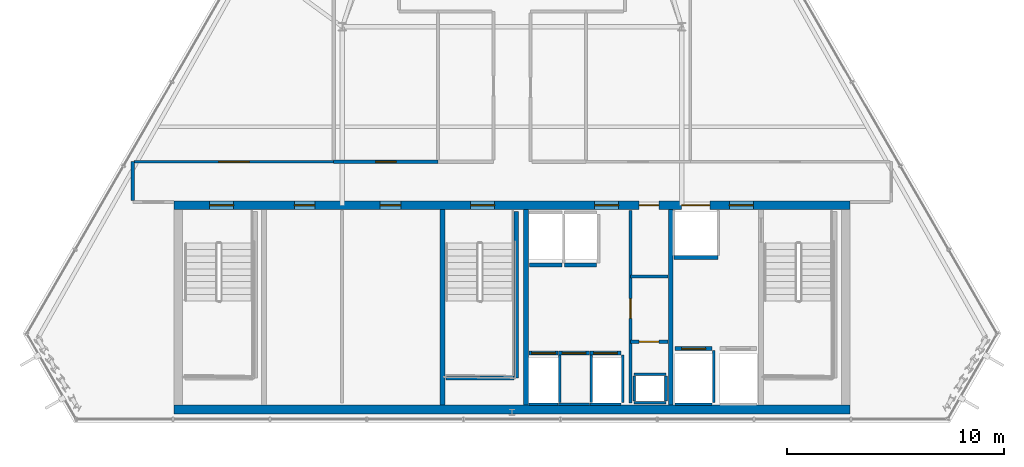
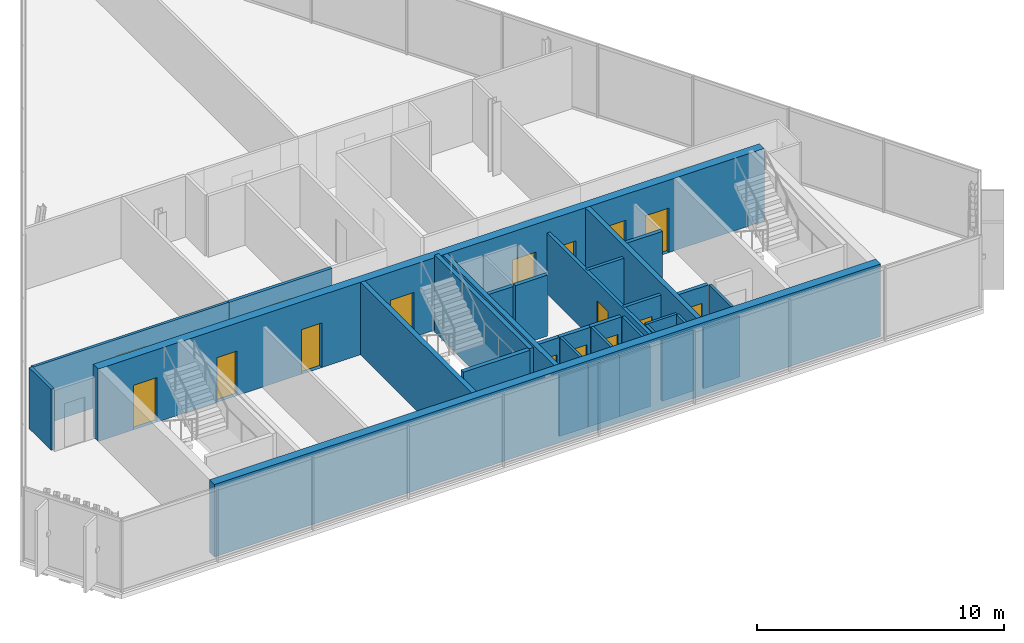
# One storey, part 27 of 32: 32 walls, 16 doors, 16 openings.
"""IFC4 building model written with IfcOpenShell, lengths in metres."""

import ifcopenshell
import ifcopenshell.guid

model = None  # the IFC model being written
_history = None  # IfcOwnerHistory: only IFC2X3 demands one
_inside = {}  # id of a spatial element -> (the spatial element, [elements in it])
_under = {}  # id of a project, library or spatial element -> (it, [spatial elements below it])
_declared = {}  # id of a project -> (the project, [libraries it declares])
_typed = {}  # id of a type object -> (the type object, [elements of that type])
_made_of = {}  # id of a material, layer set ... -> (it, [elements and type objects made of it])


def new_model(schema):
    """Start an empty IFC model of exactly this schema.

    Asked for "IFC4X3", IfcOpenShell would pick the latest addendum, in which some entities
    have other attributes; the version numbers below select the first issue.
    IFC2X3 requires an IfcOwnerHistory on every rooted entity: one is made here for all.
    """
    global model, _history
    if schema == "IFC4X3":
        model = ifcopenshell.file(schema_version=(4, 3, 0, 0))
    else:
        model = ifcopenshell.file(schema=schema)
    _inside.clear()
    _under.clear()
    _declared.clear()
    _typed.clear()
    _made_of.clear()
    _history = None
    if model.schema == "IFC2X3":
        org = make("IfcOrganization", Name="unknown")
        user = make(
            "IfcPersonAndOrganization",
            ThePerson=make("IfcPerson", FamilyName="unknown"),
            TheOrganization=org,
        )
        app = make(
            "IfcApplication",
            ApplicationDeveloper=org,
            Version="unknown",
            ApplicationFullName="unknown",
            ApplicationIdentifier="unknown",
        )
        _history = make(
            "IfcOwnerHistory",
            OwningUser=user,
            OwningApplication=app,
            ChangeAction="ADDED",
            CreationDate=0,
        )
    return model


def make(cls, **values):
    """One entity of the class cls with the attributes given. An attribute that is None is left unset."""
    return model.create_entity(
        cls, **{name: value for name, value in values.items() if value is not None}
    )


def rooted(cls, **values):
    """An entity with a GlobalId (a new one), such as an element, a storey or a relation."""
    return make(cls, GlobalId=ifcopenshell.guid.new(), OwnerHistory=_history, **values)


def si_unit(unit_type, name, prefix=None):
    """IfcSIUnit, for example si_unit("LENGTHUNIT", "METRE", prefix="MILLI")."""
    return make("IfcSIUnit", UnitType=unit_type, Prefix=prefix, Name=name)


def assignment(units):
    """IfcUnitAssignment: the units of a project."""
    return None if units is None else make("IfcUnitAssignment", Units=units)


def point(xyz):
    """IfcCartesianPoint."""
    return None if xyz is None else make("IfcCartesianPoint", Coordinates=xyz)


def direction(xyz):
    """IfcDirection."""
    return None if xyz is None else make("IfcDirection", DirectionRatios=xyz)


def frame(location, z_axis=None, x_axis=None):
    """IfcAxis2Placement3D, a coordinate frame: its origin and axes. An axis left out is left unset."""
    return make(
        "IfcAxis2Placement3D",
        Location=point(location),
        Axis=direction(z_axis),
        RefDirection=direction(x_axis),
    )


def frame_2d(location, x_axis=None):
    """IfcAxis2Placement2D, a coordinate frame in the plane: its origin and x axis."""
    return make(
        "IfcAxis2Placement2D", Location=point(location), RefDirection=direction(x_axis)
    )


def origin():
    """The frame at (0, 0, 0) with its axes left unset."""
    return frame((0.0, 0.0, 0.0))


def place(relative_to, where):
    """IfcLocalPlacement: puts the frame where relative to a parent placement (None: the world)."""
    return make(
        "IfcLocalPlacement", PlacementRelTo=relative_to, RelativePlacement=where
    )


def context(
    kind, dimensions, precision=None, world=None, true_north=None, identifier=None
):
    """IfcGeometricRepresentationContext, for example the 3D "Model" context."""
    return make(
        "IfcGeometricRepresentationContext",
        ContextIdentifier=identifier,
        ContextType=kind,
        CoordinateSpaceDimension=dimensions,
        Precision=precision,
        WorldCoordinateSystem=world,
        TrueNorth=true_north,
    )


def subcontext(parent, identifier, kind, view, scale=None):
    """IfcGeometricRepresentationSubContext, for example "Body" below "Model"."""
    return make(
        "IfcGeometricRepresentationSubContext",
        ContextIdentifier=identifier,
        ContextType=kind,
        ParentContext=parent,
        TargetScale=scale,
        TargetView=view,
    )


def project(units=None, contexts=None):
    """IfcProject with its units and contexts."""
    return rooted(
        "IfcProject",
        Name="project",
        RepresentationContexts=contexts,
        UnitsInContext=assignment(units),
    )


def spatial(cls, under=None, at=None, **own):
    """A site, building, storey or space (cls), placed at a placement, below another one or the project."""
    s = rooted(cls, ObjectPlacement=at, **own)
    if under is not None:
        _under.setdefault(under.id(), (under, []))[1].append(s)
    return s


def profile(cls, at=None, kind="AREA", **sizes):
    """A parametric profile (cls). Its sizes go by their IFC names, for example OverallWidth=200.0."""
    return make(cls, ProfileType=kind, Position=at, **sizes)


def rectangle(**sizes):
    """IfcRectangleProfileDef."""
    return profile("IfcRectangleProfileDef", **sizes)


def extrude(swept, where, along, depth):
    """IfcExtrudedAreaSolid: the profile swept, set in the frame where, extruded along a direction by depth."""
    return make(
        "IfcExtrudedAreaSolid",
        SweptArea=swept,
        Position=where,
        ExtrudedDirection=direction(along),
        Depth=depth,
    )


def shape(context_of_items, identifier, shape_type, items):
    """IfcShapeRepresentation: the items that make up one representation, for example the "Body"."""
    return make(
        "IfcShapeRepresentation",
        ContextOfItems=context_of_items,
        RepresentationIdentifier=identifier,
        RepresentationType=shape_type,
        Items=items,
    )


def material(Name=None, Category=None):
    """IfcMaterial."""
    return make("IfcMaterial", Name=Name, Category=Category)


def layer(
    of_material, thickness, ventilated=None, Name=None, Category=None, Priority=None
):
    """IfcMaterialLayer: one layer of a wall or slab, of a material (None: an air gap)."""
    return make(
        "IfcMaterialLayer",
        Material=of_material,
        LayerThickness=thickness,
        IsVentilated=ventilated,
        Name=Name,
        Category=Category,
        Priority=Priority,
    )


def layer_set(layers, Name=None):
    """IfcMaterialLayerSet."""
    return make("IfcMaterialLayerSet", MaterialLayers=layers, LayerSetName=Name)


def made_of(thing, what):
    """Note that an element or type object is made of a material, layer set ...; save() writes the relation."""
    if what is not None:
        _made_of.setdefault(what.id(), (what, []))[1].append(thing)
    return thing


def type_object(cls, material=None, **own):
    """A type object (cls), such as IfcWallType, which elements share."""
    return made_of(rooted(cls, **own), material)


def element(
    cls,
    number,
    at=None,
    inside=None,
    cuts=None,
    type_object=None,
    material=None,
    context=None,
    identifier="Body",
    shape_type=None,
    held_by="IfcProductDefinitionShape",
    body=None,
    shapes=None,
    **own,
):
    """One element of the class cls, such as IfcWall. Its Tag is "e" and its number.

    at: its placement. inside: the storey or other place that contains it. cuts: it is an
    opening in that element (IfcRelVoidsElement). A single representation is given by context,
    identifier, shape_type and body (its items); several are given by shapes. held_by: the class
    of the entity that holds the representations. save() writes the other relations.
    """
    e = rooted(cls, Tag="e%d" % number, ObjectPlacement=at, **own)
    if body is not None:
        shapes = [shape(context, identifier, shape_type, body)]
    if shapes is not None:
        e.Representation = make(held_by, Representations=shapes)
    if inside is not None:
        _inside.setdefault(inside.id(), (inside, []))[1].append(e)
    if cuts is not None:
        rooted(
            "IfcRelVoidsElement", RelatingBuildingElement=cuts, RelatedOpeningElement=e
        )
    if type_object is not None:
        _typed.setdefault(type_object.id(), (type_object, []))[1].append(e)
    return made_of(e, material)


def fill(opening, filler):
    """IfcRelFillsElement: the door or window that sits in an opening."""
    return rooted(
        "IfcRelFillsElement",
        RelatingOpeningElement=opening,
        RelatedBuildingElement=filler,
    )


def aggregate(whole, parts):
    """IfcRelAggregates: a whole, such as a stair, and the parts it consists of."""
    return rooted("IfcRelAggregates", RelatingObject=whole, RelatedObjects=parts)


def save(model, path):
    """Write the relations noted so far, then the file.

    IfcRelAggregates (storeys below a building ...), IfcRelContainedInSpatialStructure (elements
    in a storey), IfcRelDefinesByType, IfcRelAssociatesMaterial and IfcRelDeclares: one each for
    every whole, place, type object, material and project.
    """
    for whole, parts in _under.values():
        aggregate(whole, parts)
    for where, things in _inside.values():
        rooted(
            "IfcRelContainedInSpatialStructure",
            RelatedElements=things,
            RelatingStructure=where,
        )
    for kind, things in _typed.values():
        rooted("IfcRelDefinesByType", RelatedObjects=things, RelatingType=kind)
    for what, things in _made_of.values():
        rooted("IfcRelAssociatesMaterial", RelatedObjects=things, RelatingMaterial=what)
    for by, libraries in _declared.values():
        rooted("IfcRelDeclares", RelatingContext=by, RelatedDefinitions=libraries)
    model.write(path)


model = new_model("IFC4")

# Units and contexts
model_context = context("Model", 3, precision=1e-05, world=origin(), true_north=direction((0.0, 1.0)))
body_context = subcontext(model_context, "Body", "Model", "MODEL_VIEW")
ifc_project = project(units=[si_unit("LENGTHUNIT", "METRE"), si_unit("AREAUNIT", "SQUARE_METRE"), si_unit("VOLUMEUNIT", "CUBIC_METRE"), si_unit("PLANEANGLEUNIT", "RADIAN"), si_unit("MASSUNIT", "GRAM", prefix="KILO")], contexts=[model_context])

# Site, building, storey
site_placement = place(None, origin())
site = spatial("IfcSite", under=ifc_project, at=site_placement, CompositionType="ELEMENT")
building_placement = place(site_placement, origin())
building = spatial("IfcBuilding", under=site, at=building_placement, Name="Ndaravel Arena Tower", CompositionType="ELEMENT")
storey_placement = place(building_placement, frame((0.0, 0.0, 290.89990234375)))
storey = spatial("IfcBuildingStorey", under=building, at=storey_placement, Name="L71", CompositionType="ELEMENT", Elevation=290.89990234375)

# Wall, opening, door
ifc_material_1 = material(Name="Gypsum", Category="gypsum")
ifc_layer_1 = layer(ifc_material_1, 0.14990234375)
ifc_layer_set_1 = layer_set([ifc_layer_1], Name="Gypsum")
wall_type_1 = type_object("IfcWallType", Name="WALL-COMP-150", PredefinedType="PARTITIONING", material=ifc_layer_set_1)
wall_1_placement = place(storey_placement, frame((47.449951171875, 5.89990234375, 0.0), z_axis=(0.0, 0.0, 1.0), x_axis=(0.0, 1.0, 0.0)))
wall_1 = element("IfcWall", 1, at=wall_1_placement, inside=storey, type_object=wall_type_1, Name="L71 Core Riser Bay Partition", PredefinedType="PARTITIONING", context=body_context, shape_type="SweptSolid", body=[
    extrude(rectangle(XDim=8.85009765625, YDim=0.14990234375, at=frame_2d((4.425048828125, 0.0))), origin(), (0.0, 0.0, 1.0), 3.010498046875),
])
opening_1_placement = place(wall_1_placement, frame((3.89990234375, 0.0, 0.0)))
opening_1 = element("IfcOpeningElement", 2, at=opening_1_placement, cuts=wall_1, Name="Opening RD-01", PredefinedType="OPENING", context=body_context, shape_type="SweptSolid", body=[
    extrude(rectangle(XDim=0.89990234375, YDim=2.10009765625, at=frame_2d((0.449951171875, 1.050048828125))), frame((0.0, 0.074951171875, 0.0), z_axis=(0.0, -1.0, 0.0), x_axis=(1.0, 0.0, 0.0)), (0.0, 0.0, 1.0), 0.14990234375),
])
ifc_material_2 = material(Name="Steel S355", Category="steel")
door_type_1 = type_object("IfcDoorType", Name="DT-08-RISER-900", OperationType="SINGLE_SWING_LEFT", PredefinedType="DOOR", material=ifc_material_2)
door_1_placement = place(opening_1_placement, origin())
door_1 = element("IfcDoor", 3, at=door_1_placement, inside=storey, type_object=door_type_1, Name="L71 Plumbing Riser Door", OperationType="SINGLE_SWING_LEFT", OverallHeight=2.10009765625, OverallWidth=0.89990234375, PredefinedType="DOOR", context=body_context, shape_type="SweptSolid", body=[
    extrude(rectangle(XDim=0.89990234375, YDim=2.10009765625, at=frame_2d((0.449951171875, 1.050048828125))), frame((0.0, 0.02490234375, 0.0), z_axis=(0.0, -1.0, 0.0), x_axis=(1.0, 0.0, 0.0)), (0.0, 0.0, 1.0), 0.050048828125),
])
fill(opening_1, door_1)

wall_2_placement = place(storey_placement, frame((47.449951171875, 8.719970703125, 0.0), z_axis=(0.0, 0.0, 1.0), x_axis=(1.0, 0.0, 0.0)))
wall_2 = element("IfcWall", 4, at=wall_2_placement, inside=storey, type_object=wall_type_1, Name="L71 Core Riser Divider 1", PredefinedType="PARTITIONING", context=body_context, shape_type="SweptSolid", body=[
    extrude(rectangle(XDim=1.72998046875, YDim=0.14990234375, at=frame_2d((0.864990234375, 0.0))), origin(), (0.0, 0.0, 1.0), 3.010498046875),
])
opening_2_placement = place(wall_2_placement, frame((0.39990234375, 0.0, 0.0)))
opening_2 = element("IfcOpeningElement", 5, at=opening_2_placement, cuts=wall_2, Name="Opening RD-01", PredefinedType="OPENING", context=body_context, shape_type="SweptSolid", body=[
    extrude(rectangle(XDim=0.89990234375, YDim=2.10009765625, at=frame_2d((0.449951171875, 1.050048828125))), frame((0.0, 0.074951171875, 0.0), z_axis=(0.0, -1.0, 0.0), x_axis=(1.0, 0.0, 0.0)), (0.0, 0.0, 1.0), 0.14990234375),
])
door_2_placement = place(opening_2_placement, origin())
door_2 = element("IfcDoor", 6, at=door_2_placement, inside=storey, type_object=door_type_1, Name="L71 Low-Voltage Riser Door", OperationType="SINGLE_SWING_RIGHT", OverallHeight=2.10009765625, OverallWidth=0.89990234375, PredefinedType="DOOR", context=body_context, shape_type="SweptSolid", body=[
    extrude(rectangle(XDim=0.89990234375, YDim=2.10009765625, at=frame_2d((0.449951171875, 1.050048828125))), frame((0.0, 0.02490234375, 0.0), z_axis=(0.0, -1.0, 0.0), x_axis=(1.0, 0.0, 0.0)), (0.0, 0.0, 1.0), 0.050048828125),
])
fill(opening_2, door_2)

# Walls
wall_3_placement = place(storey_placement, frame((47.449951171875, 11.719970703125, 0.0), z_axis=(0.0, 0.0, 1.0), x_axis=(1.0, 0.0, 0.0)))
element("IfcWall", 7, at=wall_3_placement, inside=storey, type_object=wall_type_1, Name="L71 Core Riser Divider 2", PredefinedType="PARTITIONING", context=body_context, shape_type="SweptSolid", body=[
    extrude(rectangle(XDim=1.72998046875, YDim=0.14990234375, at=frame_2d((0.864990234375, 0.0))), origin(), (0.0, 0.0, 1.0), 3.010498046875),
])
ifc_material_3 = material(Name="Concrete C50/60", Category="concrete")
ifc_layer_2 = layer(ifc_material_3, 0.219970703125)
ifc_layer_set_2 = layer_set([ifc_layer_2], Name="Concrete C50/60")
wall_type_2 = type_object("IfcWallType", Name="WALL-CORE-220", PredefinedType="SOLIDWALL", material=ifc_layer_set_2)
for number, where, z_axis, x_axis, name in (
    (8, (38.800048828125, 5.800048828125, 0.0), (0.0, 0.0, 1.0), (0.0, 1.0, 0.0), "L71 Core Web Shear Wall 2"),
    (9, (42.64990234375, 5.800048828125, 0.0), (0.0, 0.0, 1.0), (0.0, 1.0, 0.0), "L71 Core Web Shear Wall 3"),
    (10, (49.300048828125, 5.800048828125, 0.0), (0.0, 0.0, 1.0), (0.0, 1.0, 0.0), "L71 Core Web Shear Wall 4"),
):
    element("IfcWall", number, at=place(storey_placement, frame(where, z_axis=z_axis, x_axis=x_axis)), inside=storey, type_object=wall_type_2, Name=name, PredefinedType="SOLIDWALL", context=body_context, shape_type="SweptSolid", body=[
        extrude(rectangle(XDim=9.0, YDim=0.219970703125, at=frame_2d((4.5, 0.0))), origin(), (0.0, 0.0, 1.0), 3.580078125),
    ])

# Wall, openings, doors
ifc_material_4 = material(Name="Concrete C50/60", Category="concrete")
ifc_layer_3 = layer(ifc_material_4, 0.39990234375)
ifc_layer_set_3 = layer_set([ifc_layer_3], Name="Concrete C50/60")
wall_type_3 = type_object("IfcWallType", Name="WALL-CORE-400", PredefinedType="SOLIDWALL", material=ifc_layer_set_3)
wall_4_placement = place(storey_placement, frame((26.449951171875, 15.0, 0.0), z_axis=(0.0, 0.0, 1.0), x_axis=(1.0, 0.0, 0.0)))
wall_4 = element("IfcWall", 11, at=wall_4_placement, inside=storey, type_object=wall_type_3, Name="L71 Core North Shear Wall", PredefinedType="SOLIDWALL", context=body_context, shape_type="SweptSolid", body=[
    extrude(rectangle(XDim=31.10009765625, YDim=0.39990234375, at=frame_2d((15.550048828125, 0.0))), origin(), (0.0, 0.0, 1.0), 3.580078125),
])
opening_3_placement = place(wall_4_placement, frame((1.64990234375, 0.0, 0.0)))
opening_3 = element("IfcOpeningElement", 12, at=opening_3_placement, cuts=wall_4, Name="Opening FD-01", PredefinedType="OPENING", context=body_context, shape_type="SweptSolid", body=[
    extrude(rectangle(XDim=1.10009765625, YDim=2.199951171875, at=frame_2d((0.550048828125, 1.10009765625))), frame((0.0, 0.199951171875, 0.0), z_axis=(0.0, -1.0, 0.0), x_axis=(1.0, 0.0, 0.0)), (0.0, 0.0, 1.0), 0.39990234375),
])
opening_4_placement = place(wall_4_placement, frame((13.64990234375, 0.0, 0.0)))
opening_4 = element("IfcOpeningElement", 13, at=opening_4_placement, cuts=wall_4, Name="Opening FD-01", PredefinedType="OPENING", context=body_context, shape_type="SweptSolid", body=[
    extrude(rectangle(XDim=1.10009765625, YDim=2.199951171875, at=frame_2d((0.550048828125, 1.10009765625))), frame((0.0, 0.199951171875, 0.0), z_axis=(0.0, -1.0, 0.0), x_axis=(1.0, 0.0, 0.0)), (0.0, 0.0, 1.0), 0.39990234375),
])
opening_5_placement = place(wall_4_placement, frame((25.550048828125, 0.0, 0.0)))
opening_5 = element("IfcOpeningElement", 14, at=opening_5_placement, cuts=wall_4, Name="Opening FD-01", PredefinedType="OPENING", context=body_context, shape_type="SweptSolid", body=[
    extrude(rectangle(XDim=1.10009765625, YDim=2.199951171875, at=frame_2d((0.550048828125, 1.10009765625))), frame((0.0, 0.199951171875, 0.0), z_axis=(0.0, -1.0, 0.0), x_axis=(1.0, 0.0, 0.0)), (0.0, 0.0, 1.0), 0.39990234375),
])
opening_6_placement = place(wall_4_placement, frame((19.35009765625, 0.0, 0.0)))
opening_6 = element("IfcOpeningElement", 15, at=opening_6_placement, cuts=wall_4, Name="Opening FD-01", PredefinedType="OPENING", context=body_context, shape_type="SweptSolid", body=[
    extrude(rectangle(XDim=1.10009765625, YDim=2.199951171875, at=frame_2d((0.550048828125, 1.10009765625))), frame((0.0, 0.199951171875, 0.0), z_axis=(0.0, -1.0, 0.0), x_axis=(1.0, 0.0, 0.0)), (0.0, 0.0, 1.0), 0.39990234375),
])
opening_7_placement = place(wall_4_placement, frame((21.39990234375, 0.0, 0.0)))
opening_7 = element("IfcOpeningElement", 16, at=opening_7_placement, cuts=wall_4, Name="Opening RD-01", PredefinedType="OPENING", context=body_context, shape_type="SweptSolid", body=[
    extrude(rectangle(XDim=0.89990234375, YDim=2.10009765625, at=frame_2d((0.449951171875, 1.050048828125))), frame((0.0, 0.199951171875, 0.0), z_axis=(0.0, -1.0, 0.0), x_axis=(1.0, 0.0, 0.0)), (0.0, 0.0, 1.0), 0.39990234375),
])
opening_8_placement = place(wall_4_placement, frame((5.5400390625, 0.0, 0.0)))
opening_8 = element("IfcOpeningElement", 17, at=opening_8_placement, cuts=wall_4, Name="Opening FD-03", PredefinedType="OPENING", context=body_context, shape_type="SweptSolid", body=[
    extrude(rectangle(XDim=0.949951171875, YDim=2.199951171875, at=frame_2d((0.47509765625, 1.10009765625))), frame((0.0, 0.199951171875, 0.0), z_axis=(0.0, -1.0, 0.0), x_axis=(1.0, 0.0, 0.0)), (0.0, 0.0, 1.0), 0.39990234375),
])
opening_9_placement = place(wall_4_placement, frame((9.489990234375, 0.0, 0.0)))
opening_9 = element("IfcOpeningElement", 18, at=opening_9_placement, cuts=wall_4, Name="Opening FD-03", PredefinedType="OPENING", context=body_context, shape_type="SweptSolid", body=[
    extrude(rectangle(XDim=0.949951171875, YDim=2.199951171875, at=frame_2d((0.47509765625, 1.10009765625))), frame((0.0, 0.199951171875, 0.0), z_axis=(0.0, -1.0, 0.0), x_axis=(1.0, 0.0, 0.0)), (0.0, 0.0, 1.0), 0.39990234375),
])
opening_10_placement = place(wall_4_placement, frame((23.35009765625, 0.0, 0.0)))
opening_10 = element("IfcOpeningElement", 19, at=opening_10_placement, cuts=wall_4, Name="Opening LD-02", PredefinedType="OPENING", context=body_context, shape_type="SweptSolid", body=[
    extrude(rectangle(XDim=1.300048828125, YDim=2.300048828125, at=frame_2d((0.64990234375, 1.14990234375))), frame((0.0, 0.199951171875, 0.0), z_axis=(0.0, -1.0, 0.0), x_axis=(1.0, 0.0, 0.0)), (0.0, 0.0, 1.0), 0.39990234375),
])
ifc_material_5 = material(Name="Steel S355", Category="steel")
door_type_2 = type_object("IfcDoorType", Name="DT-01-STAIR-1100", OperationType="SINGLE_SWING_LEFT", PredefinedType="DOOR", material=ifc_material_5)
door_3_placement = place(opening_3_placement, origin())
door_3 = element("IfcDoor", 20, at=door_3_placement, inside=storey, type_object=door_type_2, Name="L71 Exit Stair ST-1 Door", OperationType="SINGLE_SWING_RIGHT", OverallHeight=2.199951171875, OverallWidth=1.10009765625, PredefinedType="DOOR", context=body_context, shape_type="SweptSolid", body=[
    extrude(rectangle(XDim=1.10009765625, YDim=2.199951171875, at=frame_2d((0.550048828125, 1.10009765625))), frame((0.0, 0.02490234375, 0.0), z_axis=(0.0, -1.0, 0.0), x_axis=(1.0, 0.0, 0.0)), (0.0, 0.0, 1.0), 0.050048828125),
])
fill(opening_3, door_3)
door_4_placement = place(opening_4_placement, origin())
door_4 = element("IfcDoor", 21, at=door_4_placement, inside=storey, type_object=door_type_2, Name="L71 Exit Stair ST-2 Door", OperationType="SINGLE_SWING_LEFT", OverallHeight=2.199951171875, OverallWidth=1.10009765625, PredefinedType="DOOR", context=body_context, shape_type="SweptSolid", body=[
    extrude(rectangle(XDim=1.10009765625, YDim=2.199951171875, at=frame_2d((0.550048828125, 1.10009765625))), frame((0.0, 0.02490234375, 0.0), z_axis=(0.0, -1.0, 0.0), x_axis=(1.0, 0.0, 0.0)), (0.0, 0.0, 1.0), 0.050048828125),
])
fill(opening_4, door_4)
door_5_placement = place(opening_5_placement, origin())
door_5 = element("IfcDoor", 22, at=door_5_placement, inside=storey, type_object=door_type_2, Name="L71 Firefighting Lift Lobby Door", OperationType="SINGLE_SWING_RIGHT", OverallHeight=2.199951171875, OverallWidth=1.10009765625, PredefinedType="DOOR", context=body_context, shape_type="SweptSolid", body=[
    extrude(rectangle(XDim=1.10009765625, YDim=2.199951171875, at=frame_2d((0.550048828125, 1.10009765625))), frame((0.0, 0.02490234375, 0.0), z_axis=(0.0, -1.0, 0.0), x_axis=(1.0, 0.0, 0.0)), (0.0, 0.0, 1.0), 0.050048828125),
])
fill(opening_5, door_5)
door_6_placement = place(opening_6_placement, origin())
door_6 = element("IfcDoor", 23, at=door_6_placement, inside=storey, type_object=door_type_2, Name="L71 Express Lift Lobby Entry Door", OperationType="SINGLE_SWING_LEFT", OverallHeight=2.199951171875, OverallWidth=1.10009765625, PredefinedType="DOOR", context=body_context, shape_type="SweptSolid", body=[
    extrude(rectangle(XDim=1.10009765625, YDim=2.199951171875, at=frame_2d((0.550048828125, 1.10009765625))), frame((0.0, 0.02490234375, 0.0), z_axis=(0.0, -1.0, 0.0), x_axis=(1.0, 0.0, 0.0)), (0.0, 0.0, 1.0), 0.050048828125),
])
fill(opening_6, door_6)
ifc_material_6 = material(Name="Steel S355", Category="steel")
door_type_3 = type_object("IfcDoorType", Name="DT-07-SVLIFT-1300", OperationType="DOUBLE_DOOR_SLIDING", PredefinedType="DOOR", material=ifc_material_6)
door_7_placement = place(opening_10_placement, origin())
door_7 = element("IfcDoor", 24, at=door_7_placement, inside=storey, type_object=door_type_3, Name="L71 Lift SVL-1 Sliding Landing Door", OperationType="DOUBLE_DOOR_SLIDING", OverallHeight=2.300048828125, OverallWidth=1.300048828125, PredefinedType="DOOR", context=body_context, shape_type="SweptSolid", body=[
    extrude(rectangle(XDim=1.300048828125, YDim=2.300048828125, at=frame_2d((0.64990234375, 1.14990234375))), frame((0.0, 0.02490234375, 0.0), z_axis=(0.0, -1.0, 0.0), x_axis=(1.0, 0.0, 0.0)), (0.0, 0.0, 1.0), 0.050048828125),
])
fill(opening_10, door_7)
door_8_placement = place(opening_7_placement, origin())
door_8 = element("IfcDoor", 25, at=door_8_placement, inside=storey, type_object=door_type_1, Name="L71 Core Service Riser North Door", OperationType="SINGLE_SWING_LEFT", OverallHeight=2.10009765625, OverallWidth=0.89990234375, PredefinedType="DOOR", context=body_context, shape_type="SweptSolid", body=[
    extrude(rectangle(XDim=0.89990234375, YDim=2.10009765625, at=frame_2d((0.449951171875, 1.050048828125))), frame((0.0, 0.02490234375, 0.0), z_axis=(0.0, -1.0, 0.0), x_axis=(1.0, 0.0, 0.0)), (0.0, 0.0, 1.0), 0.050048828125),
])
fill(opening_7, door_8)
ifc_material_7 = material(Name="Steel S355", Category="steel")
door_type_4 = type_object("IfcDoorType", Name="DT-11-CORE-950", OperationType="SINGLE_SWING_LEFT", PredefinedType="DOOR", material=ifc_material_7)
door_9_placement = place(opening_8_placement, origin())
door_9 = element("IfcDoor", 26, at=door_9_placement, inside=storey, type_object=door_type_4, Name="L71 High-Zone Reclaimed Core Room 1 Door", OperationType="SINGLE_SWING_LEFT", OverallHeight=2.199951171875, OverallWidth=0.949951171875, PredefinedType="DOOR", context=body_context, shape_type="SweptSolid", body=[
    extrude(rectangle(XDim=0.949951171875, YDim=2.199951171875, at=frame_2d((0.47509765625, 1.10009765625))), frame((0.0, 0.02490234375, 0.0), z_axis=(0.0, -1.0, 0.0), x_axis=(1.0, 0.0, 0.0)), (0.0, 0.0, 1.0), 0.050048828125),
])
fill(opening_8, door_9)
door_10_placement = place(opening_9_placement, origin())
door_10 = element("IfcDoor", 27, at=door_10_placement, inside=storey, type_object=door_type_4, Name="L71 High-Zone Reclaimed Core Room 2 Door", OperationType="SINGLE_SWING_RIGHT", OverallHeight=2.199951171875, OverallWidth=0.949951171875, PredefinedType="DOOR", context=body_context, shape_type="SweptSolid", body=[
    extrude(rectangle(XDim=0.949951171875, YDim=2.199951171875, at=frame_2d((0.47509765625, 1.10009765625))), frame((0.0, 0.02490234375, 0.0), z_axis=(0.0, -1.0, 0.0), x_axis=(1.0, 0.0, 0.0)), (0.0, 0.0, 1.0), 0.050048828125),
])
fill(opening_9, door_10)

# Wall
wall_5_placement = place(storey_placement, frame((26.449951171875, 5.60009765625, 0.0), z_axis=(0.0, 0.0, 1.0), x_axis=(1.0, 0.0, 0.0)))
element("IfcWall", 28, at=wall_5_placement, inside=storey, type_object=wall_type_3, Name="L71 Core South Shear Wall", PredefinedType="SOLIDWALL", context=body_context, shape_type="SweptSolid", body=[
    extrude(rectangle(XDim=31.10009765625, YDim=0.39990234375, at=frame_2d((15.550048828125, 0.0))), origin(), (0.0, 0.0, 1.0), 3.580078125),
])

# Wall, opening, door
ifc_material_8 = material(Name="Gypsum", Category="gypsum")
ifc_layer_4 = layer(ifc_material_8, 0.125)
ifc_layer_set_4 = layer_set([ifc_layer_4], Name="Gypsum")
wall_type_4 = type_object("IfcWallType", Name="WALL-PART-125", PredefinedType="PARTITIONING", material=ifc_layer_set_4)
wall_6_placement = place(storey_placement, frame((24.631103515625, 17.0, 0.0), z_axis=(0.0, 0.0, 1.0), x_axis=(1.0, 0.0, 0.0)))
wall_6 = element("IfcWall", 29, at=wall_6_placement, inside=storey, type_object=wall_type_4, Name="L71 Interior Partition 005", PredefinedType="PARTITIONING", context=body_context, shape_type="SweptSolid", body=[
    extrude(rectangle(XDim=9.1689453125, YDim=0.125, at=frame_2d((4.58447265625, 0.0))), origin(), (0.0, 0.0, 1.0), 3.010498046875),
])
opening_11_placement = place(wall_6_placement, frame((3.884521484375, 0.0, 0.0)))
opening_11 = element("IfcOpeningElement", 30, at=opening_11_placement, cuts=wall_6, Name="Opening ID-02", PredefinedType="OPENING", context=body_context, shape_type="SweptSolid", body=[
    extrude(rectangle(XDim=1.39990234375, YDim=2.199951171875, at=frame_2d((0.699951171875, 1.10009765625))), frame((0.0, 0.0625, 0.0), z_axis=(0.0, -1.0, 0.0), x_axis=(1.0, 0.0, 0.0)), (0.0, 0.0, 1.0), 0.125),
])
ifc_material_9 = material(Name="Timber", Category="wood")
door_type_5 = type_object("IfcDoorType", Name="DT-04-SUITE-1400", OperationType="DOUBLE_DOOR_SINGLE_SWING", PredefinedType="DOOR", material=ifc_material_9)
door_11_placement = place(opening_11_placement, origin())
door_11 = element("IfcDoor", 31, at=door_11_placement, inside=storey, type_object=door_type_5, Name="L71 Visitor Reception Desk Door", OperationType="SINGLE_SWING_RIGHT", OverallHeight=2.199951171875, OverallWidth=1.39990234375, PredefinedType="DOOR", context=body_context, shape_type="SweptSolid", body=[
    extrude(rectangle(XDim=1.39990234375, YDim=2.199951171875, at=frame_2d((0.699951171875, 1.10009765625))), frame((0.0, 0.02490234375, 0.0), z_axis=(0.0, -1.0, 0.0), x_axis=(1.0, 0.0, 0.0)), (0.0, 0.0, 1.0), 0.050048828125),
])
fill(opening_11, door_11)

# Walls
ifc_material_10 = material(Name="Concrete C40/50", Category="concrete")
ifc_layer_5 = layer(ifc_material_10, 0.1201171875)
ifc_layer_set_5 = layer_set([ifc_layer_5], Name="Concrete C40/50")
wall_type_5 = type_object("IfcWallType", Name="WALL-SHAFT-120", PredefinedType="SOLIDWALL", material=ifc_layer_set_5)
for number, where, z_axis, x_axis, name in (
    (32, (47.6201171875, 5.919921875, 0.0), (0.0, 0.0, 1.0), (1.0, 0.0, 0.0), "L71 MEP Riser Shaft S Wall"),
    (33, (47.6201171875, 7.219970703125, 0.0), (0.0, 0.0, 1.0), (1.0, 0.0, 0.0), "L71 MEP Riser Shaft N Wall"),
):
    element("IfcWall", number, at=place(storey_placement, frame(where, z_axis=z_axis, x_axis=x_axis)), inside=storey, type_object=wall_type_5, Name=name, PredefinedType="SOLIDWALL", context=body_context, shape_type="SweptSolid", body=[
        extrude(rectangle(XDim=1.4599609375, YDim=0.1201171875, at=frame_2d((0.72998046875, 0.0))), origin(), (0.0, 0.0, 1.0), 3.010498046875),
    ])
for number, where, z_axis, x_axis, name in (
    (34, (47.6201171875, 6.0, 0.0), (0.0, 0.0, 1.0), (0.0, 1.0, 0.0), "L71 MEP Riser Shaft W Wall"),
    (35, (49.080078125, 6.0, 0.0), (0.0, 0.0, 1.0), (0.0, 1.0, 0.0), "L71 MEP Riser Shaft E Wall"),
):
    element("IfcWall", number, at=place(storey_placement, frame(where, z_axis=z_axis, x_axis=x_axis)), inside=storey, type_object=wall_type_5, Name=name, PredefinedType="SOLIDWALL", context=body_context, shape_type="SweptSolid", body=[
        extrude(rectangle(XDim=1.139892578125, YDim=0.1201171875, at=frame_2d((0.56982421875, 0.0))), origin(), (0.0, 0.0, 1.0), 3.010498046875),
    ])
wall_7_placement = place(storey_placement, frame((42.780029296875, 5.840087890625, 0.0), z_axis=(0.0, 0.0, 1.0), x_axis=(1.0, 0.0, 0.0)))
element("IfcWall", 36, at=wall_7_placement, inside=storey, type_object=wall_type_5, Name="L71 PL-H1 Shaft Rear Wall", PredefinedType="SOLIDWALL", context=body_context, shape_type="SweptSolid", body=[
    extrude(rectangle(XDim=1.340087890625, YDim=0.1201171875, at=frame_2d((0.669921875, 0.0))), origin(), (0.0, 0.0, 1.0), 3.010498046875),
])
wall_8_placement = place(storey_placement, frame((44.199951171875, 5.929931640625, 0.0), z_axis=(0.0, 0.0, 1.0), x_axis=(0.0, 1.0, 0.0)))
element("IfcWall", 37, at=wall_8_placement, inside=storey, type_object=wall_type_5, Name="L71 PL-H1 Shaft Side R Wall", PredefinedType="SOLIDWALL", context=body_context, shape_type="SweptSolid", body=[
    extrude(rectangle(XDim=2.18017578125, YDim=0.1201171875, at=frame_2d((1.090087890625, 0.0))), origin(), (0.0, 0.0, 1.0), 3.010498046875),
])
wall_9_placement = place(storey_placement, frame((44.1298828125, 5.840087890625, 0.0), z_axis=(0.0, 0.0, 1.0), x_axis=(1.0, 0.0, 0.0)))
element("IfcWall", 38, at=wall_9_placement, inside=storey, type_object=wall_type_5, Name="L71 PL-H2 Shaft Rear Wall", PredefinedType="SOLIDWALL", context=body_context, shape_type="SweptSolid", body=[
    extrude(rectangle(XDim=1.440185546875, YDim=0.1201171875, at=frame_2d((0.72021484375, 0.0))), origin(), (0.0, 0.0, 1.0), 3.010498046875),
])
wall_10_placement = place(storey_placement, frame((45.64990234375, 5.929931640625, 0.0), z_axis=(0.0, 0.0, 1.0), x_axis=(0.0, 1.0, 0.0)))
element("IfcWall", 39, at=wall_10_placement, inside=storey, type_object=wall_type_5, Name="L71 PL-H2 Shaft Side R Wall", PredefinedType="SOLIDWALL", context=body_context, shape_type="SweptSolid", body=[
    extrude(rectangle(XDim=2.18017578125, YDim=0.1201171875, at=frame_2d((1.090087890625, 0.0))), origin(), (0.0, 0.0, 1.0), 3.010498046875),
])
wall_11_placement = place(storey_placement, frame((45.580078125, 5.840087890625, 0.0), z_axis=(0.0, 0.0, 1.0), x_axis=(1.0, 0.0, 0.0)))
element("IfcWall", 40, at=wall_11_placement, inside=storey, type_object=wall_type_5, Name="L71 PL-H3 Shaft Rear Wall", PredefinedType="SOLIDWALL", context=body_context, shape_type="SweptSolid", body=[
    extrude(rectangle(XDim=1.43994140625, YDim=0.1201171875, at=frame_2d((0.719970703125, 0.0))), origin(), (0.0, 0.0, 1.0), 3.010498046875),
])
wall_12_placement = place(storey_placement, frame((47.10009765625, 5.929931640625, 0.0), z_axis=(0.0, 0.0, 1.0), x_axis=(0.0, 1.0, 0.0)))
element("IfcWall", 41, at=wall_12_placement, inside=storey, type_object=wall_type_5, Name="L71 PL-H3 Shaft Side R Wall", PredefinedType="SOLIDWALL", context=body_context, shape_type="SweptSolid", body=[
    extrude(rectangle(XDim=2.18017578125, YDim=0.1201171875, at=frame_2d((1.090087890625, 0.0))), origin(), (0.0, 0.0, 1.0), 3.010498046875),
])
wall_13_placement = place(storey_placement, frame((49.5048828125, 5.840087890625, 0.0), z_axis=(0.0, 0.0, 1.0), x_axis=(1.0, 0.0, 0.0)))
element("IfcWall", 42, at=wall_13_placement, inside=storey, type_object=wall_type_5, Name="L71 FFL-1 Shaft Rear Wall", PredefinedType="SOLIDWALL", context=body_context, shape_type="SweptSolid", body=[
    extrude(rectangle(XDim=1.690185546875, YDim=0.1201171875, at=frame_2d((0.84521484375, 0.0))), origin(), (0.0, 0.0, 1.0), 3.010498046875),
])
wall_14_placement = place(storey_placement, frame((51.27490234375, 5.929931640625, 0.0), z_axis=(0.0, 0.0, 1.0), x_axis=(0.0, 1.0, 0.0)))
element("IfcWall", 43, at=wall_14_placement, inside=storey, type_object=wall_type_5, Name="L71 FFL-1 Shaft Side R Wall", PredefinedType="SOLIDWALL", context=body_context, shape_type="SweptSolid", body=[
    extrude(rectangle(XDim=2.380126953125, YDim=0.1201171875, at=frame_2d((1.18994140625, 0.0))), origin(), (0.0, 0.0, 1.0), 3.010498046875),
])
ifc_material_11 = material(Name="Concrete C40/50", Category="concrete")
ifc_layer_6 = layer(ifc_material_11, 0.199951171875)
ifc_layer_set_6 = layer_set([ifc_layer_6], Name="Concrete C40/50")
wall_type_6 = type_object("IfcWallType", Name="WALL-SHAFT-200", PredefinedType="SOLIDWALL", material=ifc_layer_set_6)
wall_15_placement = place(storey_placement, frame((42.18994140625, 14.699951171875, 0.0), z_axis=(0.0, 0.0, 1.0), x_axis=(0.0, -1.0, 0.0)))
element("IfcWall", 44, at=wall_15_placement, inside=storey, type_object=wall_type_6, Name="L71 ST-2 Structural Shaft Wall Right", PredefinedType="SOLIDWALL", context=body_context, shape_type="SweptSolid", body=[
    extrude(rectangle(XDim=7.64990234375, YDim=0.199951171875, at=frame_2d((3.824951171875, 0.0))), origin(), (0.0, 0.0, 1.0), 3.800048828125),
])
wall_16_placement = place(storey_placement, frame((38.969970703125, 7.050048828125, 0.0), z_axis=(0.0, 0.0, 1.0), x_axis=(1.0, 0.0, 0.0)))
element("IfcWall", 45, at=wall_16_placement, inside=storey, type_object=wall_type_6, Name="L71 ST-2 Structural Shaft Wall Far", PredefinedType="SOLIDWALL", context=body_context, shape_type="SweptSolid", body=[
    extrude(rectangle(XDim=3.114990234375, YDim=0.199951171875, at=frame_2d((1.5576171875, 0.0))), origin(), (0.0, 0.0, 1.0), 3.800048828125),
])

# Wall, opening, door
wall_17_placement = place(storey_placement, frame((42.780029296875, 8.199951171875, 0.0), z_axis=(0.0, 0.0, 1.0), x_axis=(1.0, 0.0, 0.0)))
wall_17 = element("IfcWall", 46, at=wall_17_placement, inside=storey, type_object=wall_type_6, Name="L71 PL-H1 Shaft Landing Wall", PredefinedType="SOLIDWALL", context=body_context, shape_type="SweptSolid", body=[
    extrude(rectangle(XDim=1.340087890625, YDim=0.179931640625, at=frame_2d((0.669921875, 0.0))), origin(), (0.0, 0.0, 1.0), 3.010498046875),
])
opening_12_placement = place(wall_17_placement, frame((0.1201171875, 0.0, 0.0)))
opening_12 = element("IfcOpeningElement", 47, at=opening_12_placement, cuts=wall_17, Name="Opening LD-01", PredefinedType="OPENING", context=body_context, shape_type="SweptSolid", body=[
    extrude(rectangle(XDim=1.10009765625, YDim=2.199951171875, at=frame_2d((0.550048828125, 1.10009765625))), frame((0.0, 0.08984375, 0.0), z_axis=(0.0, -1.0, 0.0), x_axis=(1.0, 0.0, 0.0)), (0.0, 0.0, 1.0), 0.179931640625),
])
ifc_material_12 = material(Name="Steel S355", Category="steel")
door_type_6 = type_object("IfcDoorType", Name="DT-06-LIFT-1100", OperationType="SLIDING_TO_LEFT", PredefinedType="DOOR", material=ifc_material_12)
door_12_placement = place(opening_12_placement, origin())
door_12 = element("IfcDoor", 48, at=door_12_placement, inside=storey, type_object=door_type_6, Name="L71 Lift PL-H1 Sliding Landing Door", OperationType="SLIDING_TO_LEFT", OverallHeight=2.199951171875, OverallWidth=1.10009765625, PredefinedType="DOOR", context=body_context, shape_type="SweptSolid", body=[
    extrude(rectangle(XDim=1.10009765625, YDim=2.199951171875, at=frame_2d((0.550048828125, 1.10009765625))), frame((0.0, 0.02490234375, 0.0), z_axis=(0.0, -1.0, 0.0), x_axis=(1.0, 0.0, 0.0)), (0.0, 0.0, 1.0), 0.050048828125),
])
fill(opening_12, door_12)

wall_18_placement = place(storey_placement, frame((44.1298828125, 8.199951171875, 0.0), z_axis=(0.0, 0.0, 1.0), x_axis=(1.0, 0.0, 0.0)))
wall_18 = element("IfcWall", 49, at=wall_18_placement, inside=storey, type_object=wall_type_6, Name="L71 PL-H2 Shaft Landing Wall", PredefinedType="SOLIDWALL", context=body_context, shape_type="SweptSolid", body=[
    extrude(rectangle(XDim=1.440185546875, YDim=0.179931640625, at=frame_2d((0.72021484375, 0.0))), origin(), (0.0, 0.0, 1.0), 3.010498046875),
])
opening_13_placement = place(wall_18_placement, frame((0.169921875, 0.0, 0.0)))
opening_13 = element("IfcOpeningElement", 50, at=opening_13_placement, cuts=wall_18, Name="Opening LD-01", PredefinedType="OPENING", context=body_context, shape_type="SweptSolid", body=[
    extrude(rectangle(XDim=1.10009765625, YDim=2.199951171875, at=frame_2d((0.550048828125, 1.10009765625))), frame((0.0, 0.08984375, 0.0), z_axis=(0.0, -1.0, 0.0), x_axis=(1.0, 0.0, 0.0)), (0.0, 0.0, 1.0), 0.179931640625),
])
door_13_placement = place(opening_13_placement, origin())
door_13 = element("IfcDoor", 51, at=door_13_placement, inside=storey, type_object=door_type_6, Name="L71 Lift PL-H2 Sliding Landing Door", OperationType="SLIDING_TO_LEFT", OverallHeight=2.199951171875, OverallWidth=1.10009765625, PredefinedType="DOOR", context=body_context, shape_type="SweptSolid", body=[
    extrude(rectangle(XDim=1.10009765625, YDim=2.199951171875, at=frame_2d((0.550048828125, 1.10009765625))), frame((0.0, 0.02490234375, 0.0), z_axis=(0.0, -1.0, 0.0), x_axis=(1.0, 0.0, 0.0)), (0.0, 0.0, 1.0), 0.050048828125),
])
fill(opening_13, door_13)

wall_19_placement = place(storey_placement, frame((45.580078125, 8.199951171875, 0.0), z_axis=(0.0, 0.0, 1.0), x_axis=(1.0, 0.0, 0.0)))
wall_19 = element("IfcWall", 52, at=wall_19_placement, inside=storey, type_object=wall_type_6, Name="L71 PL-H3 Shaft Landing Wall", PredefinedType="SOLIDWALL", context=body_context, shape_type="SweptSolid", body=[
    extrude(rectangle(XDim=1.43994140625, YDim=0.179931640625, at=frame_2d((0.719970703125, 0.0))), origin(), (0.0, 0.0, 1.0), 3.010498046875),
])
opening_14_placement = place(wall_19_placement, frame((0.169921875, 0.0, 0.0)))
opening_14 = element("IfcOpeningElement", 53, at=opening_14_placement, cuts=wall_19, Name="Opening LD-01", PredefinedType="OPENING", context=body_context, shape_type="SweptSolid", body=[
    extrude(rectangle(XDim=1.10009765625, YDim=2.199951171875, at=frame_2d((0.550048828125, 1.10009765625))), frame((0.0, 0.08984375, 0.0), z_axis=(0.0, -1.0, 0.0), x_axis=(1.0, 0.0, 0.0)), (0.0, 0.0, 1.0), 0.179931640625),
])
door_14_placement = place(opening_14_placement, origin())
door_14 = element("IfcDoor", 54, at=door_14_placement, inside=storey, type_object=door_type_6, Name="L71 Lift PL-H3 Sliding Landing Door", OperationType="SLIDING_TO_LEFT", OverallHeight=2.199951171875, OverallWidth=1.10009765625, PredefinedType="DOOR", context=body_context, shape_type="SweptSolid", body=[
    extrude(rectangle(XDim=1.10009765625, YDim=2.199951171875, at=frame_2d((0.550048828125, 1.10009765625))), frame((0.0, 0.02490234375, 0.0), z_axis=(0.0, -1.0, 0.0), x_axis=(1.0, 0.0, 0.0)), (0.0, 0.0, 1.0), 0.050048828125),
])
fill(opening_14, door_14)

# Walls
for number, where, z_axis, x_axis, name in (
    (55, (42.804931640625, 12.25, 0.0), (0.0, 0.0, 1.0), (1.0, 0.0, 0.0), "L71 PL-OBS1 Shaft Landing Wall"),
    (56, (44.405029296875, 12.25, 0.0), (0.0, 0.0, 1.0), (1.0, 0.0, 0.0), "L71 PL-OBS2 Shaft Landing Wall"),
):
    element("IfcWall", number, at=place(storey_placement, frame(where, z_axis=z_axis, x_axis=x_axis)), inside=storey, type_object=wall_type_6, Name=name, PredefinedType="SOLIDWALL", context=body_context, shape_type="SweptSolid", body=[
        extrude(rectangle(XDim=1.489990234375, YDim=0.179931640625, at=frame_2d((0.7451171875, 0.0))), origin(), (0.0, 0.0, 1.0), 3.010498046875),
    ])

# Wall, opening, door
wall_20_placement = place(storey_placement, frame((49.5048828125, 8.39990234375, 0.0), z_axis=(0.0, 0.0, 1.0), x_axis=(1.0, 0.0, 0.0)))
wall_20 = element("IfcWall", 57, at=wall_20_placement, inside=storey, type_object=wall_type_6, Name="L71 FFL-1 Shaft Landing Wall", PredefinedType="SOLIDWALL", context=body_context, shape_type="SweptSolid", body=[
    extrude(rectangle(XDim=1.690185546875, YDim=0.179931640625, at=frame_2d((0.84521484375, 0.0))), origin(), (0.0, 0.0, 1.0), 3.010498046875),
])
opening_15_placement = place(wall_20_placement, frame((0.294921875, 0.0, 0.0)))
opening_15 = element("IfcOpeningElement", 58, at=opening_15_placement, cuts=wall_20, Name="Opening LD-01", PredefinedType="OPENING", context=body_context, shape_type="SweptSolid", body=[
    extrude(rectangle(XDim=1.10009765625, YDim=2.199951171875, at=frame_2d((0.550048828125, 1.10009765625))), frame((0.0, 0.08984375, 0.0), z_axis=(0.0, -1.0, 0.0), x_axis=(1.0, 0.0, 0.0)), (0.0, 0.0, 1.0), 0.179931640625),
])
door_15_placement = place(opening_15_placement, origin())
door_15 = element("IfcDoor", 59, at=door_15_placement, inside=storey, type_object=door_type_6, Name="L71 Lift FFL-1 Sliding Landing Door", OperationType="SLIDING_TO_LEFT", OverallHeight=2.199951171875, OverallWidth=1.10009765625, PredefinedType="DOOR", context=body_context, shape_type="SweptSolid", body=[
    extrude(rectangle(XDim=1.10009765625, YDim=2.199951171875, at=frame_2d((0.550048828125, 1.10009765625))), frame((0.0, 0.02490234375, 0.0), z_axis=(0.0, -1.0, 0.0), x_axis=(1.0, 0.0, 0.0)), (0.0, 0.0, 1.0), 0.050048828125),
])
fill(opening_15, door_15)

# Walls
wall_21_placement = place(storey_placement, frame((49.43994140625, 12.594970703125, 0.0), z_axis=(0.0, 0.0, 1.0), x_axis=(1.0, 0.0, 0.0)))
element("IfcWall", 60, at=wall_21_placement, inside=storey, type_object=wall_type_6, Name="L71 SVL-1 Shaft South Wall", PredefinedType="SOLIDWALL", context=body_context, shape_type="SweptSolid", body=[
    extrude(rectangle(XDim=2.0400390625, YDim=0.179931640625, at=frame_2d((1.02001953125, 0.0))), origin(), (0.0, 0.0, 1.0), 3.010498046875),
])
ifc_material_13 = material(Name="Masonry", Category="masonry")
ifc_layer_7 = layer(ifc_material_13, 0.14990234375)
ifc_layer_set_7 = layer_set([ifc_layer_7], Name="Masonry")
wall_type_7 = type_object("IfcWallType", Name="WALL-WET-150", PredefinedType="PARTITIONING", material=ifc_layer_set_7)
wall_22_placement = place(storey_placement, frame((24.56591796875, 15.215087890625, 0.0), z_axis=(0.0, 0.0, 1.0), x_axis=(0.0, 1.0, 0.0)))
element("IfcWall", 61, at=wall_22_placement, inside=storey, type_object=wall_type_7, Name="L71 Interior Partition 004", PredefinedType="PARTITIONING", context=body_context, shape_type="SweptSolid", body=[
    extrude(rectangle(XDim=1.784912109375, YDim=0.14990234375, at=frame_2d((0.892578125, 0.0))), origin(), (0.0, 0.0, 1.0), 3.010498046875),
])

# Wall, opening, door
wall_23_placement = place(storey_placement, frame((33.800048828125, 17.0, 0.0), z_axis=(0.0, 0.0, 1.0), x_axis=(1.0, 0.0, 0.0)))
wall_23 = element("IfcWall", 62, at=wall_23_placement, inside=storey, type_object=wall_type_7, Name="L71 Interior Partition 006", PredefinedType="PARTITIONING", context=body_context, shape_type="SweptSolid", body=[
    extrude(rectangle(XDim=4.800048828125, YDim=0.14990234375, at=frame_2d((2.39990234375, 0.0))), origin(), (0.0, 0.0, 1.0), 3.010498046875),
])
opening_16_placement = place(wall_23_placement, frame((1.925048828125, 0.0, 0.0)))
opening_16 = element("IfcOpeningElement", 63, at=opening_16_placement, cuts=wall_23, Name="Opening FD-03", PredefinedType="OPENING", context=body_context, shape_type="SweptSolid", body=[
    extrude(rectangle(XDim=0.949951171875, YDim=2.199951171875, at=frame_2d((0.47509765625, 1.10009765625))), frame((0.0, 0.074951171875, 0.0), z_axis=(0.0, -1.0, 0.0), x_axis=(1.0, 0.0, 0.0)), (0.0, 0.0, 1.0), 0.14990234375),
])
door_16_placement = place(opening_16_placement, origin())
door_16 = element("IfcDoor", 64, at=door_16_placement, inside=storey, type_object=door_type_4, Name="L71 Catering Pantry 2 Door", OperationType="SINGLE_SWING_RIGHT", OverallHeight=2.199951171875, OverallWidth=0.949951171875, PredefinedType="DOOR", context=body_context, shape_type="SweptSolid", body=[
    extrude(rectangle(XDim=0.949951171875, YDim=2.199951171875, at=frame_2d((0.47509765625, 1.10009765625))), frame((0.0, 0.02490234375, 0.0), z_axis=(0.0, -1.0, 0.0), x_axis=(1.0, 0.0, 0.0)), (0.0, 0.0, 1.0), 0.050048828125),
])
fill(opening_16, door_16)

save(model, "model.ifc")
